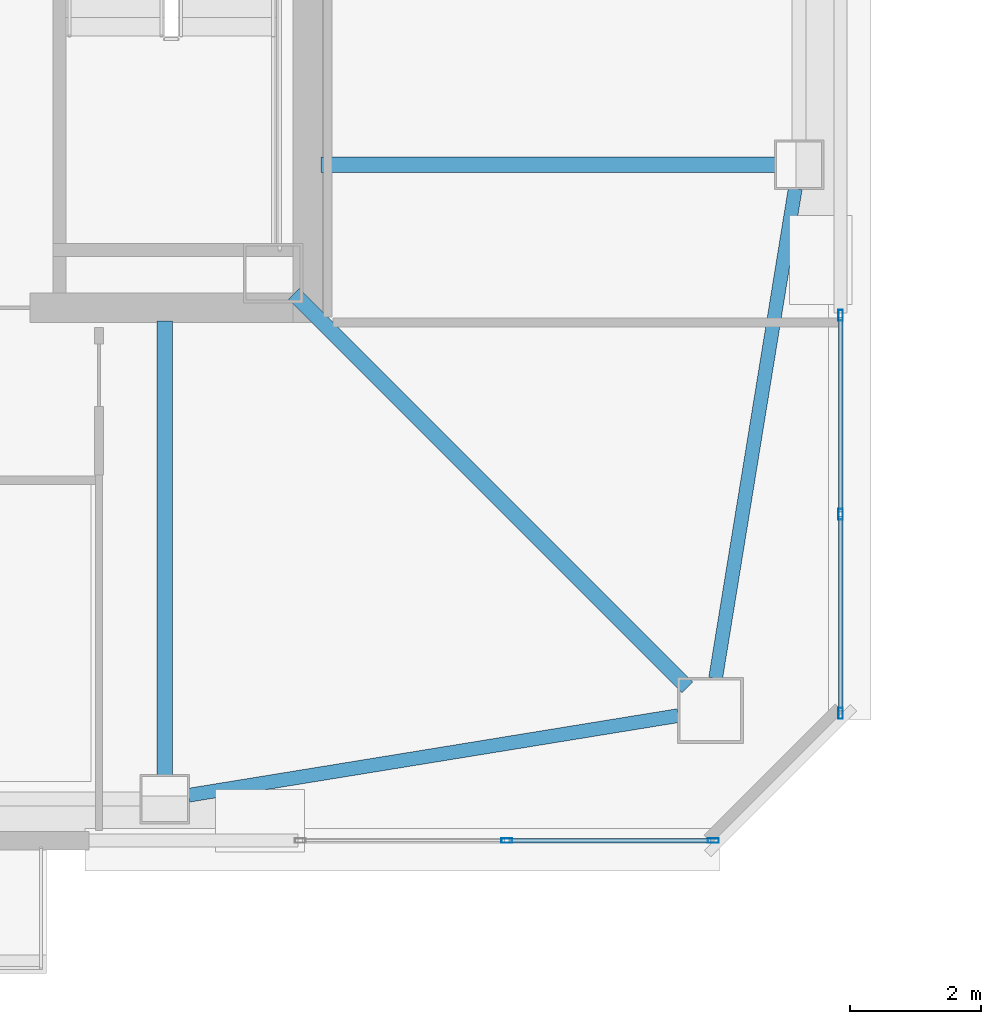
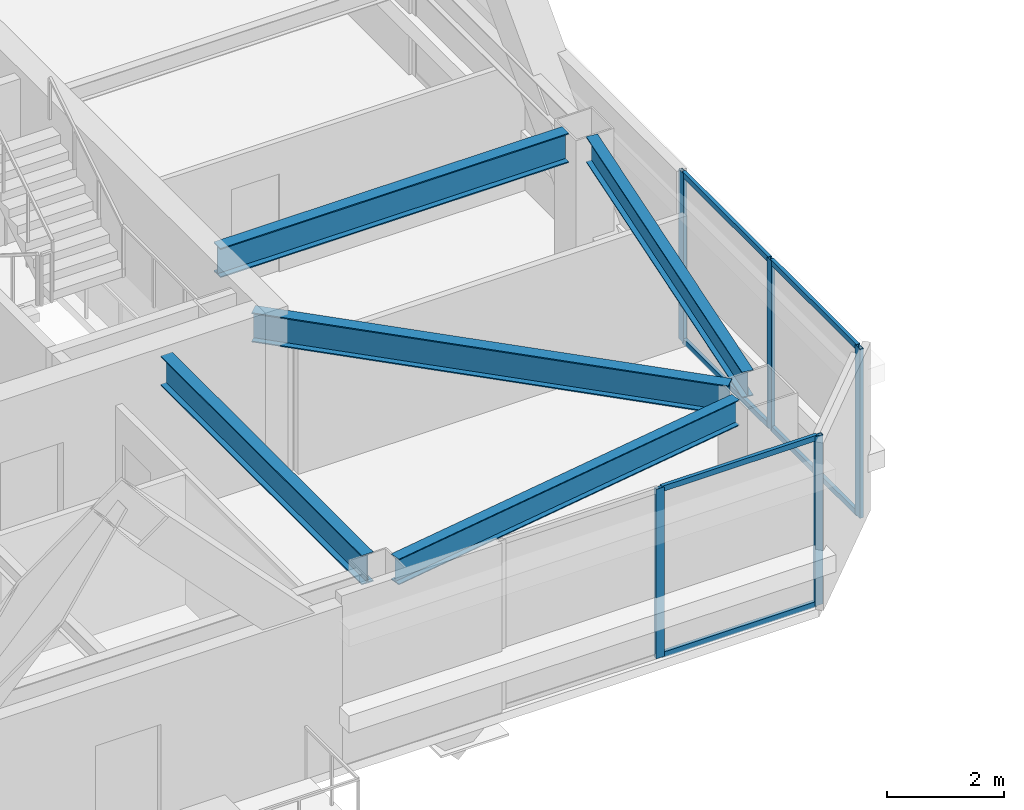
# One storey, part 7 of 39: 11 members, 5 beams, 2 elements without a shape of their own.
"""IFC4 building model written with IfcOpenShell, lengths in metres."""

from ifc_helpers import new_model, si_unit, direction, frame, origin, origin_2d, place, context, subcontext, project, spatial, hollow_rectangle, i_section, extrude, material, material_profile, profile_set, type_object, element, aggregate, save


model = new_model("IFC4")

# Units and contexts
model_context = context("Model", 3, precision=1e-05, world=origin(), true_north=direction((0.0, 1.0)))
body_context = subcontext(model_context, "Body", "Model", "MODEL_VIEW")
ifc_project = project(units=[si_unit("LENGTHUNIT", "METRE"), si_unit("AREAUNIT", "SQUARE_METRE"), si_unit("VOLUMEUNIT", "CUBIC_METRE"), si_unit("PLANEANGLEUNIT", "RADIAN"), si_unit("MASSUNIT", "GRAM", prefix="KILO")], contexts=[model_context])

# Site, building, storey
site_placement = place(None, origin())
site = spatial("IfcSite", under=ifc_project, at=site_placement, CompositionType="ELEMENT")
building_placement = place(site_placement, origin())
building = spatial("IfcBuilding", under=site, at=building_placement, Name="Tashvorn Skyway Center", CompositionType="ELEMENT")
storey_placement = place(building_placement, frame((0.0, 0.0, 239.699951171875)))
storey = spatial("IfcBuildingStorey", under=building, at=storey_placement, Name="L65", CompositionType="ELEMENT", Elevation=239.699951171875)

# Beams
ifc_material_1 = material(Name="Steel ASTM A992 Grade 50", Category="steel")
ifc_material_profile_1 = material_profile(ifc_material_1, i_section(OverallWidth=0.22998046875, OverallDepth=0.616943359375, WebThickness=0.01318359375, FlangeThickness=0.022216796875, at=origin_2d()), Name="W24X94")
ifc_profile_set_1 = profile_set([ifc_material_profile_1], Name="Steel ASTM A992 Grade 50")
beam_type_1 = type_object("IfcBeamType", Name="BM-BEAM-W24X94", PredefinedType="BEAM", material=ifc_profile_set_1)
beam_placement = place(storey_placement, frame((55.35009765625, 18.64990234375, 3.0615234375), z_axis=(-0.707106781187, 0.707106781187, 0.0), x_axis=(-0.707106781187, -0.707106781187, 0.0)))
element("IfcBeam", 1, at=beam_placement, inside=storey, type_object=beam_type_1, Name="Tower 1 L65 Primary Floor Girder MC-SE", PredefinedType="BEAM", context=body_context, shape_type="SweptSolid", body=[
    extrude(i_section(OverallWidth=0.22998046875, OverallDepth=0.616943359375, WebThickness=0.01318359375, FlangeThickness=0.022216796875, at=origin_2d()), origin(), (0.0, 0.0, 1.0), 8.464599609375),
])
for number, where, z_axis, x_axis, name in (
    (2, (47.39990234375, 17.320068359375, 3.0615234375), (0.0, 1.0, 0.0), (-1.0, 0.0, 0.0), "Tower 1 L65 Primary Floor Girder FC-S2"),
    (3, (56.679931640625, 26.60009765625, 3.0615234375), (-1.0, 0.0, 0.0), (0.0, -1.0, 0.0), "Tower 1 L65 Primary Floor Girder FC-E1"),
):
    element("IfcBeam", number, at=place(storey_placement, frame(where, z_axis=z_axis, x_axis=x_axis)), inside=storey, type_object=beam_type_1, Name=name, PredefinedType="BEAM", context=body_context, shape_type="SweptSolid", body=[
        extrude(i_section(OverallWidth=0.22998046875, OverallDepth=0.616943359375, WebThickness=0.01318359375, FlangeThickness=0.022216796875, at=origin_2d()), origin(), (0.0, 0.0, 1.0), 6.89990234375),
    ])
ifc_material_profile_2 = material_profile(ifc_material_1, i_section(OverallWidth=0.2109375, OverallDepth=0.5390625, WebThickness=0.01171875, FlangeThickness=0.018798828125, at=origin_2d()), Name="W21X73")
ifc_profile_set_2 = profile_set([ifc_material_profile_2], Name="Steel ASTM A992 Grade 50")
beam_type_2 = type_object("IfcBeamType", Name="BM-SPANDREL-W21X73", PredefinedType="SPANDREL", material=ifc_profile_set_2)
for number, where, z_axis, x_axis, name in (
    (4, (47.76513671875, 17.009521484375, 3.1005859375), (0.987033514444, 0.160514302677, 0.0), (-0.160514302677, 0.987033514444, 0.0), "Tower 1 L65 Spandrel Beam 03"),
    (5, (55.779541015625, 18.78857421875, 3.1005859375), (0.160514302677, 0.987033514444, 0.0), (-0.987033514444, 0.160514302677, 0.0), "Tower 1 L65 Spandrel Beam 04"),
):
    element("IfcBeam", number, at=place(storey_placement, frame(where, z_axis=z_axis, x_axis=x_axis)), inside=storey, type_object=beam_type_2, Name=name, PredefinedType="SPANDREL", context=body_context, shape_type="SweptSolid", body=[
        extrude(i_section(OverallWidth=0.2109375, OverallDepth=0.5390625, WebThickness=0.01171875, FlangeThickness=0.018798828125, at=origin_2d()), origin(), (0.0, 0.0, 1.0), 7.544189453125),
    ])

# Curtain wall, members
ifc_material_2 = material(Name="Thermally broken bronze-anodized aluminium 6063-T6", Category="aluminium")
curtain_wall_type = type_object("IfcCurtainWallType", Name="CW-CW-Z5", PredefinedType="NOTDEFINED", material=ifc_material_2)
curtain_wall_1_placement = place(storey_placement, origin())
curtain_wall_1 = element("IfcCurtainWall", 6, at=curtain_wall_1_placement, inside=storey, type_object=curtain_wall_type, Name="Tower 1 L65 South Curtain Wall L Glazing Group 1", PredefinedType="NOTDEFINED")
ifc_material_profile_3 = material_profile(ifc_material_2, hollow_rectangle(XDim=0.070068359375, YDim=0.1650390625, WallThickness=0.00390625, at=origin_2d()), Name="ALU-MULL-70x165")
ifc_profile_set_3 = profile_set([ifc_material_profile_3], Name="Thermally broken bronze-anodized aluminium 6063-T6")
member_type_1 = type_object("IfcMemberType", Name="CWM-CW-Z5", PredefinedType="MULLION", material=ifc_profile_set_3)
member_1_placement = place(storey_placement, frame((55.7451171875, 16.320068359375, 0.0), z_axis=(0.0, 0.0, 1.0), x_axis=(0.0, -1.0, 0.0)))
member_1 = element("IfcMember", 7, at=member_1_placement, type_object=member_type_1, Name="CW-Z5 mullion 1", PredefinedType="MULLION", context=body_context, shape_type="SweptSolid", body=[
    extrude(hollow_rectangle(XDim=0.070068359375, YDim=0.1650390625, WallThickness=0.00390625, at=origin_2d()), origin(), (0.0, 0.0, 1.0), 3.550048828125),
])
member_2_placement = place(storey_placement, frame((52.603271484375, 16.320068359375, 0.0), z_axis=(0.0, 0.0, 1.0), x_axis=(0.0, -1.0, 0.0)))
member_2 = element("IfcMember", 8, at=member_2_placement, type_object=member_type_1, Name="CW-Z5 mullion 2", PredefinedType="MULLION", context=body_context, shape_type="SweptSolid", body=[
    extrude(hollow_rectangle(XDim=0.070068359375, YDim=0.1650390625, WallThickness=0.00390625, at=origin_2d()), origin(), (0.0, 0.0, 1.0), 3.550048828125),
])

curtain_wall_2_placement = place(storey_placement, origin())
curtain_wall_2 = element("IfcCurtainWall", 9, at=curtain_wall_2_placement, inside=storey, type_object=curtain_wall_type, Name="Tower 1 L65 East Unitised Curtain Wall Glazing Group 3", PredefinedType="NOTDEFINED")
member_3_placement = place(storey_placement, frame((57.679931640625, 24.309326171875, 0.0), z_axis=(0.0, 0.0, 1.0), x_axis=(1.0, 0.0, 0.0)))
member_3 = element("IfcMember", 10, at=member_3_placement, type_object=member_type_1, Name="CW-Z5 mullion 1", PredefinedType="MULLION", context=body_context, shape_type="SweptSolid", body=[
    extrude(hollow_rectangle(XDim=0.070068359375, YDim=0.1650390625, WallThickness=0.00390625, at=origin_2d()), origin(), (0.0, 0.0, 1.0), 3.550048828125),
])
member_4_placement = place(storey_placement, frame((57.679931640625, 21.2822265625, 0.0), z_axis=(0.0, 0.0, 1.0), x_axis=(1.0, 0.0, 0.0)))
member_4 = element("IfcMember", 11, at=member_4_placement, type_object=member_type_1, Name="CW-Z5 mullion 2", PredefinedType="MULLION", context=body_context, shape_type="SweptSolid", body=[
    extrude(hollow_rectangle(XDim=0.070068359375, YDim=0.1650390625, WallThickness=0.00390625, at=origin_2d()), origin(), (0.0, 0.0, 1.0), 3.550048828125),
])
member_5_placement = place(storey_placement, frame((57.679931640625, 18.2548828125, 0.0), z_axis=(0.0, 0.0, 1.0), x_axis=(1.0, 0.0, 0.0)))
member_5 = element("IfcMember", 12, at=member_5_placement, type_object=member_type_1, Name="CW-Z5 mullion 3", PredefinedType="MULLION", context=body_context, shape_type="SweptSolid", body=[
    extrude(hollow_rectangle(XDim=0.070068359375, YDim=0.1650390625, WallThickness=0.00390625, at=origin_2d()), origin(), (0.0, 0.0, 1.0), 3.550048828125),
])

# Member
ifc_material_profile_4 = material_profile(ifc_material_2, hollow_rectangle(XDim=0.070068359375, YDim=0.114990234375, WallThickness=0.00390625, at=origin_2d()), Name="ALU-TRAN-70x115")
ifc_profile_set_4 = profile_set([ifc_material_profile_4], Name="Thermally broken bronze-anodized aluminium 6063-T6")
member_type_2 = type_object("IfcMemberType", Name="CWT-CW-Z5", PredefinedType="USERDEFINED", material=ifc_profile_set_4)
member_6_placement = place(storey_placement, frame((55.7099609375, 16.320068359375, 0.03515625), z_axis=(-1.0, 0.0, 0.0), x_axis=(0.0, -1.0, 0.0)))
member_6 = element("IfcMember", 13, at=member_6_placement, type_object=member_type_2, Name="CW-Z5 transom 1.1", ObjectType="TRANSOM", PredefinedType="USERDEFINED", context=body_context, shape_type="SweptSolid", body=[
    extrude(hollow_rectangle(XDim=0.070068359375, YDim=0.114990234375, WallThickness=0.00390625, at=origin_2d()), origin(), (0.0, 0.0, 1.0), 3.071533203125),
])

member_7_placement = place(storey_placement, frame((55.7099609375, 16.320068359375, 3.51513671875), z_axis=(-1.0, 0.0, 0.0), x_axis=(0.0, -1.0, 0.0)))
member_7 = element("IfcMember", 14, at=member_7_placement, type_object=member_type_2, Name="CW-Z5 transom 1.2", ObjectType="TRANSOM", PredefinedType="USERDEFINED", context=body_context, shape_type="SweptSolid", body=[
    extrude(hollow_rectangle(XDim=0.070068359375, YDim=0.114990234375, WallThickness=0.00390625, at=origin_2d()), origin(), (0.0, 0.0, 1.0), 3.071533203125),
])

aggregate(curtain_wall_1, [member_1, member_2, member_6, member_7])

member_8_placement = place(storey_placement, frame((57.679931640625, 24.2744140625, 0.03515625), z_axis=(0.0, -1.0, 0.0), x_axis=(1.0, 0.0, 0.0)))
member_8 = element("IfcMember", 15, at=member_8_placement, type_object=member_type_2, Name="CW-Z5 transom 1.1", ObjectType="TRANSOM", PredefinedType="USERDEFINED", context=body_context, shape_type="SweptSolid", body=[
    extrude(hollow_rectangle(XDim=0.070068359375, YDim=0.114990234375, WallThickness=0.00390625, at=origin_2d()), origin(), (0.0, 0.0, 1.0), 2.957275390625),
])

member_9_placement = place(storey_placement, frame((57.679931640625, 24.2744140625, 3.51513671875), z_axis=(0.0, -1.0, 0.0), x_axis=(1.0, 0.0, 0.0)))
member_9 = element("IfcMember", 16, at=member_9_placement, type_object=member_type_2, Name="CW-Z5 transom 1.2", ObjectType="TRANSOM", PredefinedType="USERDEFINED", context=body_context, shape_type="SweptSolid", body=[
    extrude(hollow_rectangle(XDim=0.070068359375, YDim=0.114990234375, WallThickness=0.00390625, at=origin_2d()), origin(), (0.0, 0.0, 1.0), 2.957275390625),
])

member_10_placement = place(storey_placement, frame((57.679931640625, 21.247314453125, 0.03515625), z_axis=(0.0, -1.0, 0.0), x_axis=(1.0, 0.0, 0.0)))
member_10 = element("IfcMember", 17, at=member_10_placement, type_object=member_type_2, Name="CW-Z5 transom 2.1", ObjectType="TRANSOM", PredefinedType="USERDEFINED", context=body_context, shape_type="SweptSolid", body=[
    extrude(hollow_rectangle(XDim=0.070068359375, YDim=0.114990234375, WallThickness=0.00390625, at=origin_2d()), origin(), (0.0, 0.0, 1.0), 2.957275390625),
])

member_11_placement = place(storey_placement, frame((57.679931640625, 21.247314453125, 3.51513671875), z_axis=(0.0, -1.0, 0.0), x_axis=(1.0, 0.0, 0.0)))
member_11 = element("IfcMember", 18, at=member_11_placement, type_object=member_type_2, Name="CW-Z5 transom 2.2", ObjectType="TRANSOM", PredefinedType="USERDEFINED", context=body_context, shape_type="SweptSolid", body=[
    extrude(hollow_rectangle(XDim=0.070068359375, YDim=0.114990234375, WallThickness=0.00390625, at=origin_2d()), origin(), (0.0, 0.0, 1.0), 2.957275390625),
])

aggregate(curtain_wall_2, [member_3, member_4, member_5, member_8, member_9, member_10, member_11])

save(model, "model.ifc")
